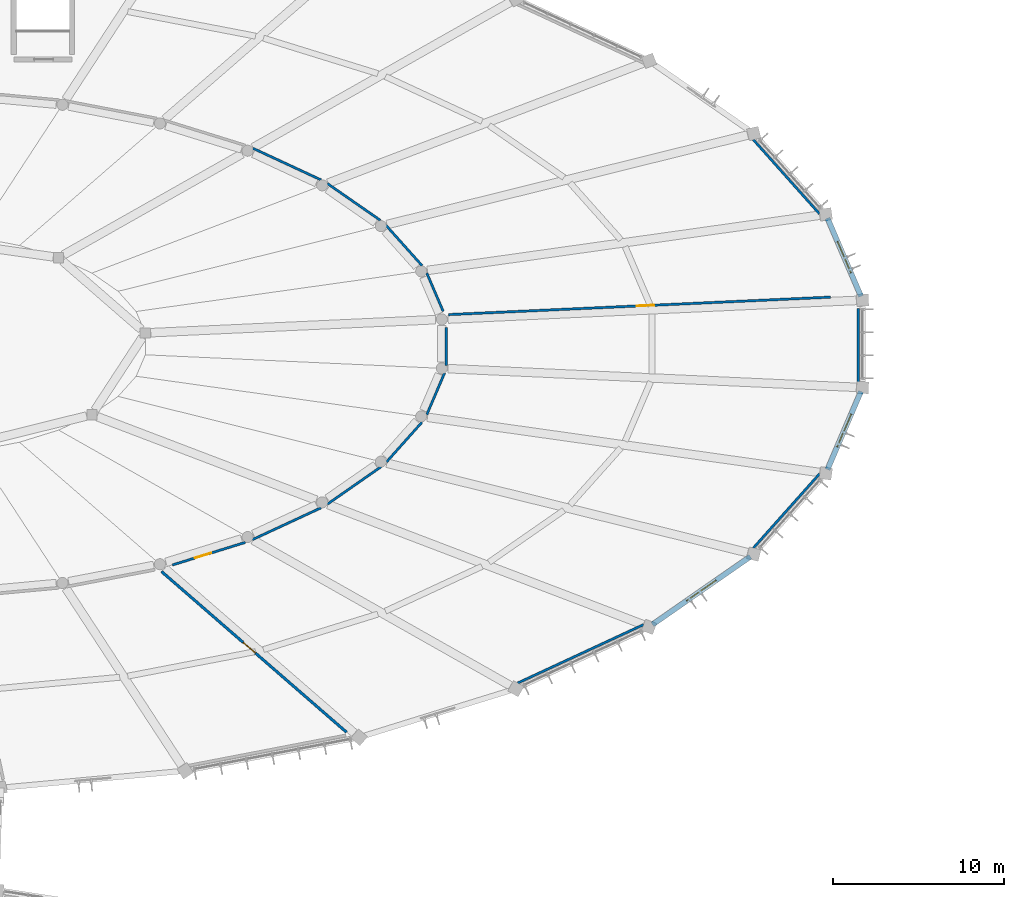
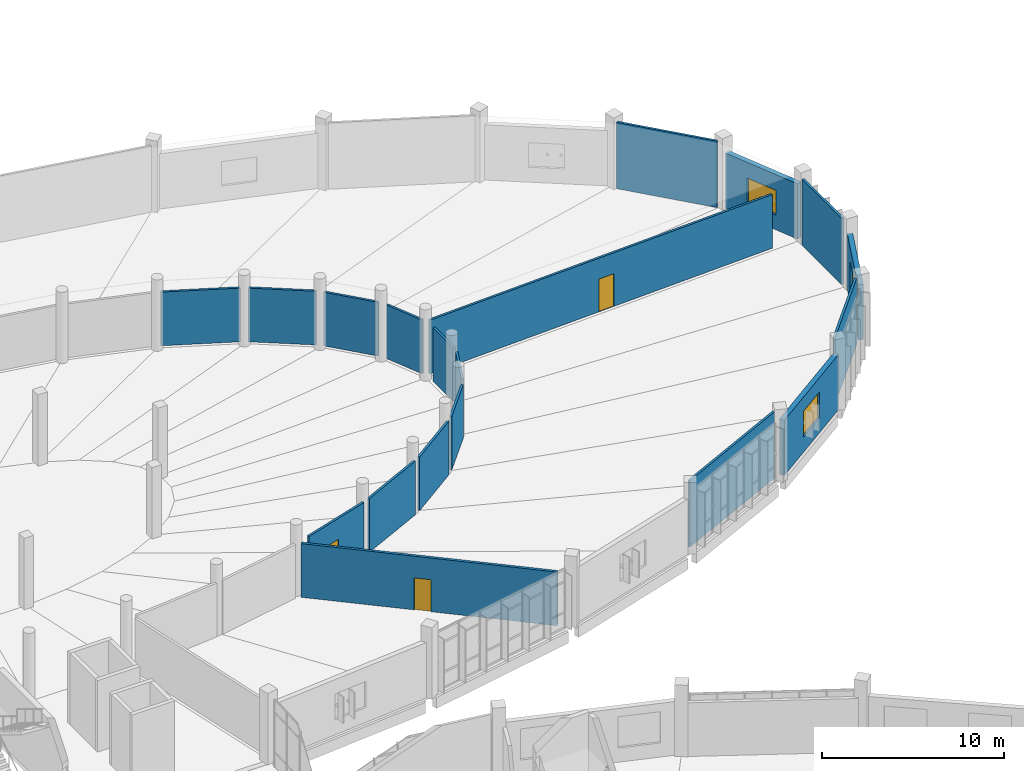
# One storey, part 127 of 179: 19 walls, 3 doors, 3 windows, 6 openings.
"""IFC4 building model written with IfcOpenShell, lengths in metres."""

from ifc_helpers import new_model, si_unit, direction, frame, frame_2d, origin, place, context, subcontext, project, spatial, rectangle, extrude, material, layer, layer_set, type_object, element, fill, save


model = new_model("IFC4")

# Units and contexts
model_context = context("Model", 3, precision=1e-05, world=origin(), true_north=direction((0.0, 1.0)))
body_context = subcontext(model_context, "Body", "Model", "MODEL_VIEW")
ifc_project = project(units=[si_unit("LENGTHUNIT", "METRE"), si_unit("AREAUNIT", "SQUARE_METRE"), si_unit("VOLUMEUNIT", "CUBIC_METRE"), si_unit("PLANEANGLEUNIT", "RADIAN"), si_unit("MASSUNIT", "GRAM", prefix="KILO")], contexts=[model_context])

# Site, building, storey
site_placement = place(None, origin())
site = spatial("IfcSite", under=ifc_project, at=site_placement, CompositionType="ELEMENT")
building_placement = place(site_placement, origin())
building = spatial("IfcBuilding", under=site, at=building_placement, Name="Corvandel Quay Wholesale Market", CompositionType="ELEMENT")
storey_placement = place(building_placement, frame((0.0, 0.0, 6.0)))
storey = spatial("IfcBuildingStorey", under=building, at=storey_placement, Name="L01", CompositionType="ELEMENT", Elevation=6.0)

# Wall, opening, window
ifc_material_1 = material(Name="Marine precast concrete C45/55", Category="concrete")
ifc_layer_1 = layer(ifc_material_1, 0.31005859375)
ifc_layer_set_1 = layer_set([ifc_layer_1], Name="Marine precast concrete C45/55")
wall_type_1 = type_object("IfcWallType", Name="Fish Hall Marine Precast Wall EW06 310", PredefinedType="SOLIDWALL", material=ifc_layer_set_1)
wall_1_placement = place(storey_placement, frame((169.905517578125, 118.781494140625, 0.0), z_axis=(0.0, 0.0, 1.0), x_axis=(-0.393836540118, 0.91918049352, 0.0)))
wall_1 = element("IfcWall", 1, at=wall_1_placement, inside=storey, type_object=wall_type_1, Name="Exterior Wall EW-0090", PredefinedType="SOLIDWALL", context=body_context, shape_type="SweptSolid", body=[
    extrude(rectangle(XDim=4.984619140625, YDim=0.31005859375, at=frame_2d((2.4921875, 0.0))), origin(), (0.0, 0.0, 1.0), 3.7099609375),
])
opening_1_placement = place(wall_1_placement, frame((1.491943359375, 0.0, 1.0)))
opening_1 = element("IfcOpeningElement", 2, at=opening_1_placement, cuts=wall_1, Name="Opening L01-W029", PredefinedType="OPENING", context=body_context, shape_type="SweptSolid", body=[
    extrude(rectangle(XDim=2.0, YDim=1.64990234375, at=frame_2d((1.0, 0.824951171875))), frame((0.0, 0.1650390625, 0.0), z_axis=(0.0, -1.0, 0.0), x_axis=(1.0, 0.0, 0.0)), (0.0, 0.0, 1.0), 0.330078125),
])
ifc_material_2 = material(Name="Thermally broken bronze anodised aluminium and solar-control low-E double glazing", Category="aluminium")
window_type_1 = type_object("IfcWindowType", Name="Phytosanitary Lab Window WN08 2000x1650", PartitioningType="SINGLE_PANEL", PredefinedType="WINDOW", material=ifc_material_2)
window_1_placement = place(opening_1_placement, origin())
window_1 = element("IfcWindow", 3, at=window_1_placement, inside=storey, type_object=window_type_1, Name="Window L01-W029", OverallHeight=1.64990234375, OverallWidth=2.0, PartitioningType="SINGLE_PANEL", PredefinedType="WINDOW", context=body_context, shape_type="SweptSolid", body=[
    extrude(rectangle(XDim=2.0, YDim=1.64990234375, at=frame_2d((1.0, 0.824951171875))), frame((0.0, 0.030029296875, 0.0), z_axis=(0.0, -1.0, 0.0), x_axis=(1.0, 0.0, 0.0)), (0.0, 0.0, 1.0), 0.06005859375),
])
fill(opening_1, window_1)

wall_2_placement = place(storey_placement, frame((157.695068359375, 99.56298828125, 0.0), z_axis=(0.0, 0.0, 1.0), x_axis=(0.821263481182, 0.57054911662, 0.0)))
wall_2 = element("IfcWall", 4, at=wall_2_placement, inside=storey, type_object=wall_type_1, Name="Exterior Wall EW-0148", PredefinedType="SOLIDWALL", context=body_context, shape_type="SweptSolid", body=[
    extrude(rectangle(XDim=6.98291015625, YDim=0.31005859375, at=frame_2d((3.491455078125, 0.0))), origin(), (0.0, 0.0, 1.0), 3.7099609375),
])
opening_2_placement = place(wall_2_placement, frame((2.44091796875, 0.0, 1.0)))
opening_2 = element("IfcOpeningElement", 5, at=opening_2_placement, cuts=wall_2, Name="Opening L01-W043", PredefinedType="OPENING", context=body_context, shape_type="SweptSolid", body=[
    extrude(rectangle(XDim=2.10009765625, YDim=1.75, at=frame_2d((1.050048828125, 0.875))), frame((0.0, 0.1650390625, 0.0), z_axis=(0.0, -1.0, 0.0), x_axis=(1.0, 0.0, 0.0)), (0.0, 0.0, 1.0), 0.330078125),
])
window_type_2 = type_object("IfcWindowType", Name="Seafood Traders Window WN09 2100x1750", PartitioningType="SINGLE_PANEL", PredefinedType="WINDOW", material=ifc_material_2)
window_2_placement = place(opening_2_placement, origin())
window_2 = element("IfcWindow", 6, at=window_2_placement, inside=storey, type_object=window_type_2, Name="Window L01-W043", OverallHeight=1.75, OverallWidth=2.10009765625, PartitioningType="SINGLE_PANEL", PredefinedType="WINDOW", context=body_context, shape_type="SweptSolid", body=[
    extrude(rectangle(XDim=2.10009765625, YDim=1.75, at=frame_2d((1.050048828125, 0.875))), frame((0.0, 0.030029296875, 0.0), z_axis=(0.0, -1.0, 0.0), x_axis=(1.0, 0.0, 0.0)), (0.0, 0.0, 1.0), 0.06005859375),
])
fill(opening_2, window_2)

wall_3_placement = place(storey_placement, frame((167.9423828125, 108.63671875, 0.0), z_axis=(0.0, 0.0, 1.0), x_axis=(0.393836540118, 0.91918049352, 0.0)))
wall_3 = element("IfcWall", 7, at=wall_3_placement, inside=storey, type_object=wall_type_1, Name="Exterior Wall EW-0152", PredefinedType="SOLIDWALL", context=body_context, shape_type="SweptSolid", body=[
    extrude(rectangle(XDim=4.984619140625, YDim=0.31005859375, at=frame_2d((2.4921875, 0.0))), origin(), (0.0, 0.0, 1.0), 3.7099609375),
])
opening_3_placement = place(wall_3_placement, frame((1.44189453125, 0.0, 1.0)))
opening_3 = element("IfcOpeningElement", 8, at=opening_3_placement, cuts=wall_3, Name="Opening L01-W044", PredefinedType="OPENING", context=body_context, shape_type="SweptSolid", body=[
    extrude(rectangle(XDim=2.10009765625, YDim=1.75, at=frame_2d((1.050048828125, 0.875))), frame((0.0, 0.1650390625, 0.0), z_axis=(0.0, -1.0, 0.0), x_axis=(1.0, 0.0, 0.0)), (0.0, 0.0, 1.0), 0.330078125),
])
window_3_placement = place(opening_3_placement, origin())
window_3 = element("IfcWindow", 9, at=window_3_placement, inside=storey, type_object=window_type_2, Name="Window L01-W044", OverallHeight=1.75, OverallWidth=2.10009765625, PartitioningType="SINGLE_PANEL", PredefinedType="WINDOW", context=body_context, shape_type="SweptSolid", body=[
    extrude(rectangle(XDim=2.10009765625, YDim=1.75, at=frame_2d((1.050048828125, 0.875))), frame((0.0, 0.030029296875, 0.0), z_axis=(0.0, -1.0, 0.0), x_axis=(1.0, 0.0, 0.0)), (0.0, 0.0, 1.0), 0.06005859375),
])
fill(opening_3, window_3)

# Walls
ifc_material_3 = material(Name="Double-layer acoustic gypsum stud partition")
ifc_layer_2 = layer(ifc_material_3, 0.139892578125)
ifc_layer_set_2 = layer_set([ifc_layer_2], Name="Double-layer acoustic gypsum stud partition")
wall_type_2 = type_object("IfcWallType", Name="Office Acoustic Partition PT07 140", PredefinedType="PARTITIONING", material=ifc_layer_set_2)
wall_4_placement = place(storey_placement, frame((144.2021484375, 120.583984375, 0.0), z_axis=(0.0, 0.0, 1.0), x_axis=(-0.667172710191, 0.744903064014, 0.0)))
element("IfcWall", 10, at=wall_4_placement, inside=storey, type_object=wall_type_2, Name="Interior Wall IW-0612", PredefinedType="PARTITIONING", context=body_context, shape_type="SweptSolid", body=[
    extrude(rectangle(XDim=3.17236328125, YDim=0.139892578125, at=frame_2d((1.586181640625, 0.0))), origin(), (0.0, 0.0, 1.0), 3.610107421875),
])
wall_5_placement = place(storey_placement, frame((141.75830078125, 123.236572265625, 0.0), z_axis=(0.0, 0.0, 1.0), x_axis=(-0.821483924085, 0.570231674383, 0.0)))
element("IfcWall", 11, at=wall_5_placement, inside=storey, type_object=wall_type_2, Name="Interior Wall IW-0613", PredefinedType="PARTITIONING", context=body_context, shape_type="SweptSolid", body=[
    extrude(rectangle(XDim=3.763427734375, YDim=0.139892578125, at=frame_2d((1.8818359375, 0.0))), origin(), (0.0, 0.0, 1.0), 3.610107421875),
])
wall_6_placement = place(storey_placement, frame((138.28662109375, 125.6005859375, 0.0), z_axis=(0.0, 0.0, 1.0), x_axis=(-0.906993827143, 0.421143915455, 0.0)))
element("IfcWall", 12, at=wall_6_placement, inside=storey, type_object=wall_type_2, Name="Interior Wall IW-0614", PredefinedType="PARTITIONING", context=body_context, shape_type="SweptSolid", body=[
    extrude(rectangle(XDim=4.3994140625, YDim=0.139892578125, at=frame_2d((2.19970703125, 0.0))), origin(), (0.0, 0.0, 1.0), 3.610107421875),
])
wall_7_placement = place(storey_placement, frame((163.599609375, 127.955810546875, 0.0), z_axis=(0.0, 0.0, 1.0), x_axis=(0.665746000237, -0.746178439228, 0.0)))
element("IfcWall", 13, at=wall_7_placement, inside=storey, type_object=wall_type_2, Name="Interior Wall IW-0621", PredefinedType="PARTITIONING", context=body_context, shape_type="SweptSolid", body=[
    extrude(rectangle(XDim=5.827880859375, YDim=0.139892578125, at=frame_2d((2.9140625, 0.0))), origin(), (0.0, 0.0, 1.0), 4.4599609375),
])

# Wall, opening, door
wall_8_placement = place(storey_placement, frame((168.12353515625, 118.73583984375, 0.0), z_axis=(0.0, 0.0, 1.0), x_axis=(-0.998955125277, -0.045701834571, 0.0)))
wall_8 = element("IfcWall", 14, at=wall_8_placement, inside=storey, type_object=wall_type_2, Name="Interior Wall IW-0622", PredefinedType="PARTITIONING", context=body_context, shape_type="SweptSolid", body=[
    extrude(rectangle(XDim=22.399169921875, YDim=0.139892578125, at=frame_2d((11.19970703125, 0.0))), origin(), (0.0, 0.0, 1.0), 3.610107421875),
])
opening_4_placement = place(wall_8_placement, frame((10.35009765625, 0.0, 0.0)))
opening_4 = element("IfcOpeningElement", 15, at=opening_4_placement, cuts=wall_8, Name="Opening L01-D040", PredefinedType="OPENING", context=body_context, shape_type="SweptSolid", body=[
    extrude(rectangle(XDim=1.0, YDim=2.199951171875, at=frame_2d((0.5, 1.10009765625))), frame((0.0, 0.079833984375, 0.0), z_axis=(0.0, -1.0, 0.0), x_axis=(1.0, 0.0, 0.0)), (0.0, 0.0, 1.0), 0.159912109375),
])
ifc_material_4 = material(Name="Stained oak solid-core acoustic timber", Category="wood")
door_type_1 = type_object("IfcDoorType", Name="Office Entry Door ID09 1000x2200L", OperationType="SINGLE_SWING_LEFT", PredefinedType="DOOR", material=ifc_material_4)
door_1_placement = place(opening_4_placement, origin())
door_1 = element("IfcDoor", 16, at=door_1_placement, inside=storey, type_object=door_type_1, Name="Floral Wholesale Traders Office Door", OperationType="SINGLE_SWING_LEFT", OverallHeight=2.199951171875, OverallWidth=1.0, PredefinedType="DOOR", context=body_context, shape_type="SweptSolid", body=[
    extrude(rectangle(XDim=1.0, YDim=2.199951171875, at=frame_2d((0.5, 1.10009765625))), frame((0.0, 0.02490234375, 0.0), z_axis=(0.0, -1.0, 0.0), x_axis=(1.0, 0.0, 0.0)), (0.0, 0.0, 1.0), 0.050048828125),
])
fill(opening_4, door_1)

# Walls
wall_9_placement = place(storey_placement, frame((145.44140625, 117.904296875, 0.0), z_axis=(0.0, 0.0, 1.0), x_axis=(-0.393798513966, 0.919196785459, 0.0)))
element("IfcWall", 17, at=wall_9_placement, inside=storey, type_object=wall_type_2, Name="Interior Wall IW-0623", PredefinedType="PARTITIONING", context=body_context, shape_type="SweptSolid", body=[
    extrude(rectangle(XDim=2.439453125, YDim=0.139892578125, at=frame_2d((1.2197265625, 0.0))), origin(), (0.0, 0.0, 1.0), 3.610107421875),
])
wall_10_placement = place(storey_placement, frame((134.267578125, 104.53564453125, 0.0), z_axis=(0.0, 0.0, 1.0), x_axis=(0.907190063513, 0.420721034254, 0.0)))
element("IfcWall", 18, at=wall_10_placement, inside=storey, type_object=wall_type_2, Name="Interior Wall IW-0655", PredefinedType="PARTITIONING", context=body_context, shape_type="SweptSolid", body=[
    extrude(rectangle(XDim=4.429931640625, YDim=0.139892578125, at=frame_2d((2.21484375, 0.0))), origin(), (0.0, 0.0, 1.0), 3.610107421875),
])
wall_11_placement = place(storey_placement, frame((138.66650390625, 106.617919921875, 0.0), z_axis=(0.0, 0.0, 1.0), x_axis=(0.820492529687, 0.571657247595, 0.0)))
element("IfcWall", 19, at=wall_11_placement, inside=storey, type_object=wall_type_2, Name="Interior Wall IW-0656", PredefinedType="PARTITIONING", context=body_context, shape_type="SweptSolid", body=[
    extrude(rectangle(XDim=3.824462890625, YDim=0.139892578125, at=frame_2d((1.912109375, 0.0))), origin(), (0.0, 0.0, 1.0), 3.610107421875),
])
wall_12_placement = place(storey_placement, frame((142.131591796875, 109.09423828125, 0.0), z_axis=(0.0, 0.0, 1.0), x_axis=(0.665658555214, 0.746256449131, 0.0)))
element("IfcWall", 20, at=wall_12_placement, inside=storey, type_object=wall_type_2, Name="Interior Wall IW-0657", PredefinedType="PARTITIONING", context=body_context, shape_type="SweptSolid", body=[
    extrude(rectangle(XDim=3.11083984375, YDim=0.139892578125, at=frame_2d((1.555419921875, 0.0))), origin(), (0.0, 0.0, 1.0), 3.610107421875),
])
wall_13_placement = place(storey_placement, frame((144.480224609375, 111.853515625, 0.0), z_axis=(0.0, 0.0, 1.0), x_axis=(0.39239535141, 0.919796655893, 0.0)))
element("IfcWall", 21, at=wall_13_placement, inside=storey, type_object=wall_type_2, Name="Interior Wall IW-0658", PredefinedType="PARTITIONING", context=body_context, shape_type="SweptSolid", body=[
    extrude(rectangle(XDim=2.669189453125, YDim=0.139892578125, at=frame_2d((1.33447265625, 0.0))), origin(), (0.0, 0.0, 1.0), 3.610107421875),
])
wall_14_placement = place(storey_placement, frame((145.614501953125, 114.73095703125, 0.0), z_axis=(0.0, 0.0, 1.0), x_axis=(0.002184593367, 0.999997613773, 0.0)))
element("IfcWall", 22, at=wall_14_placement, inside=storey, type_object=wall_type_2, Name="Interior Wall IW-0659", PredefinedType="PARTITIONING", context=body_context, shape_type="SweptSolid", body=[
    extrude(rectangle(XDim=2.235107421875, YDim=0.139892578125, at=frame_2d((1.11767578125, 0.0))), origin(), (0.0, 0.0, 1.0), 3.610107421875),
])
wall_15_placement = place(storey_placement, frame((169.739990234375, 118.069091796875, 0.0), z_axis=(0.0, 0.0, 1.0), x_axis=(0.0, -1.0, 0.0)))
element("IfcWall", 23, at=wall_15_placement, inside=storey, type_object=wall_type_2, Name="Interior Wall IW-0660", PredefinedType="PARTITIONING", context=body_context, shape_type="SweptSolid", body=[
    extrude(rectangle(XDim=4.357177734375, YDim=0.139892578125, at=frame_2d((2.1787109375, 0.0))), origin(), (0.0, 0.0, 1.0), 4.4599609375),
])
wall_16_placement = place(storey_placement, frame((167.4794921875, 108.392822265625, 0.0), z_axis=(0.0, 0.0, 1.0), x_axis=(-0.665746000237, -0.746178439228, 0.0)))
element("IfcWall", 24, at=wall_16_placement, inside=storey, type_object=wall_type_2, Name="Interior Wall IW-0661", PredefinedType="PARTITIONING", context=body_context, shape_type="SweptSolid", body=[
    extrude(rectangle(XDim=5.827880859375, YDim=0.139892578125, at=frame_2d((2.9140625, 0.0))), origin(), (0.0, 0.0, 1.0), 4.4599609375),
])
wall_17_placement = place(storey_placement, frame((157.16845703125, 99.559326171875, 0.0), z_axis=(0.0, 0.0, 1.0), x_axis=(-0.906998714148, -0.421133390429, 0.0)))
element("IfcWall", 25, at=wall_17_placement, inside=storey, type_object=wall_type_2, Name="Interior Wall IW-0662", PredefinedType="PARTITIONING", context=body_context, shape_type="SweptSolid", body=[
    extrude(rectangle(XDim=8.1201171875, YDim=0.139892578125, at=frame_2d((4.06005859375, 0.0))), origin(), (0.0, 0.0, 1.0), 4.4599609375),
])

# Wall, opening, door
wall_18_placement = place(storey_placement, frame((129.588134765625, 103.05224609375, 0.0), z_axis=(0.0, 0.0, 1.0), x_axis=(0.955042812266, 0.296467918566, 0.0)))
wall_18 = element("IfcWall", 26, at=wall_18_placement, inside=storey, type_object=wall_type_2, Name="Interior Wall IW-0663", PredefinedType="PARTITIONING", context=body_context, shape_type="SweptSolid", body=[
    extrude(rectangle(XDim=4.470703125, YDim=0.139892578125, at=frame_2d((2.2353515625, 0.0))), origin(), (0.0, 0.0, 1.0), 3.610107421875),
])
opening_5_placement = place(wall_18_placement, frame((1.385009765625, 0.0, 0.0)))
opening_5 = element("IfcOpeningElement", 27, at=opening_5_placement, cuts=wall_18, Name="Opening L01-D045", PredefinedType="OPENING", context=body_context, shape_type="SweptSolid", body=[
    extrude(rectangle(XDim=1.0, YDim=2.199951171875, at=frame_2d((0.5, 1.10009765625))), frame((0.0, 0.079833984375, 0.0), z_axis=(0.0, -1.0, 0.0), x_axis=(1.0, 0.0, 0.0)), (0.0, 0.0, 1.0), 0.159912109375),
])
door_type_2 = type_object("IfcDoorType", Name="Office Entry Door ID10 1000x2200R", OperationType="SINGLE_SWING_RIGHT", PredefinedType="DOOR", material=ifc_material_4)
door_2_placement = place(opening_5_placement, origin())
door_2 = element("IfcDoor", 28, at=door_2_placement, inside=storey, type_object=door_type_2, Name="Cold Chain Hygiene Equipment Store Door", OperationType="SINGLE_SWING_RIGHT", OverallHeight=2.199951171875, OverallWidth=1.0, PredefinedType="DOOR", context=body_context, shape_type="SweptSolid", body=[
    extrude(rectangle(XDim=1.0, YDim=2.199951171875, at=frame_2d((0.5, 1.10009765625))), frame((0.0, 0.02490234375, 0.0), z_axis=(0.0, -1.0, 0.0), x_axis=(1.0, 0.0, 0.0)), (0.0, 0.0, 1.0), 0.050048828125),
])
fill(opening_5, door_2)

ifc_material_5 = material(Name="Moisture-resistant tile-backer partition")
ifc_layer_3 = layer(ifc_material_5, 0.159912109375)
ifc_layer_set_3 = layer_set([ifc_layer_3], Name="Moisture-resistant tile-backer partition")
wall_type_3 = type_object("IfcWallType", Name="Sanitary Tile Partition PT06 160", PredefinedType="PARTITIONING", material=ifc_layer_set_3)
wall_19_placement = place(storey_placement, frame((128.946044921875, 102.673583984375, 0.0), z_axis=(0.0, 0.0, 1.0), x_axis=(0.754939630342, -0.655794292853, 0.0)))
wall_19 = element("IfcWall", 29, at=wall_19_placement, inside=storey, type_object=wall_type_3, Name="Interior Wall IW-0652", PredefinedType="PARTITIONING", context=body_context, shape_type="SweptSolid", body=[
    extrude(rectangle(XDim=14.358642578125, YDim=0.159912109375, at=frame_2d((7.17919921875, 0.0))), origin(), (0.0, 0.0, 1.0), 3.610107421875),
])
opening_6_placement = place(wall_19_placement, frame((6.3291015625, 0.0, 0.0)))
opening_6 = element("IfcOpeningElement", 30, at=opening_6_placement, cuts=wall_19, Name="Opening L01-D044", PredefinedType="OPENING", context=body_context, shape_type="SweptSolid", body=[
    extrude(rectangle(XDim=0.949951171875, YDim=2.14990234375, at=frame_2d((0.47509765625, 1.074951171875))), frame((0.0, 0.08984375, 0.0), z_axis=(0.0, -1.0, 0.0), x_axis=(1.0, 0.0, 0.0)), (0.0, 0.0, 1.0), 0.179931640625),
])
ifc_material_6 = material(Name="Moisture-resistant HPL solid core")
door_type_3 = type_object("IfcDoorType", Name="Accessible Restroom Door ID13 950x2150L", OperationType="SINGLE_SWING_LEFT", PredefinedType="DOOR", material=ifc_material_6)
door_3_placement = place(opening_6_placement, origin())
door_3 = element("IfcDoor", 31, at=door_3_placement, inside=storey, type_object=door_type_3, Name="Public Accessible Toilet and Staff WC V2 Door", OperationType="SINGLE_SWING_LEFT", OverallHeight=2.14990234375, OverallWidth=0.949951171875, PredefinedType="DOOR", context=body_context, shape_type="SweptSolid", body=[
    extrude(rectangle(XDim=0.949951171875, YDim=2.14990234375, at=frame_2d((0.47509765625, 1.074951171875))), frame((0.0, 0.02490234375, 0.0), z_axis=(0.0, -1.0, 0.0), x_axis=(1.0, 0.0, 0.0)), (0.0, 0.0, 1.0), 0.050048828125),
])
fill(opening_6, door_3)

save(model, "model.ifc")
